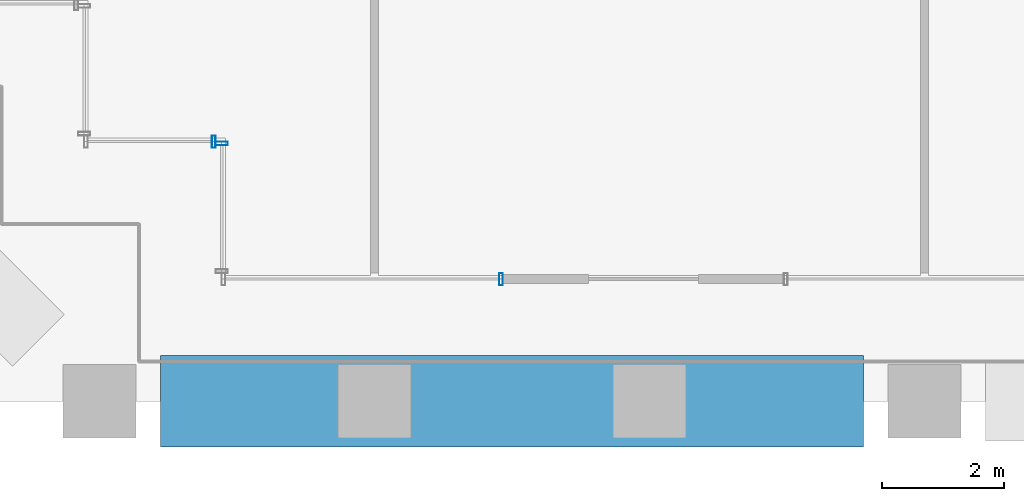
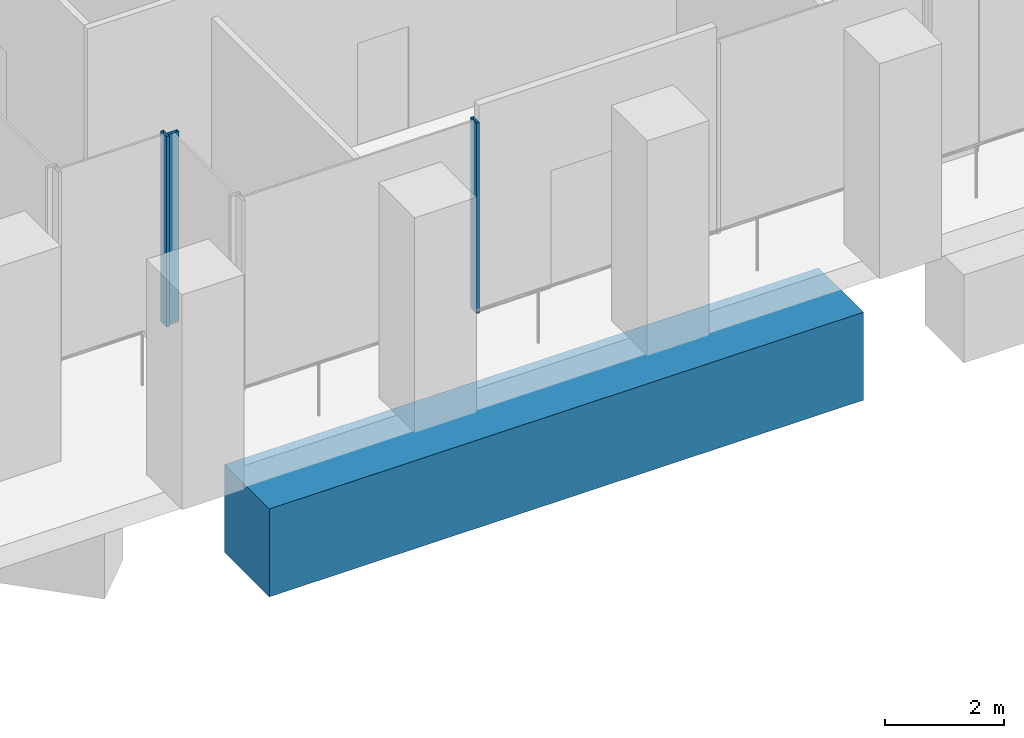
# One storey, part 15 of 32: 3 members, 1 beam, 3 elements without a shape of their own.
"""IFC4 building model written with IfcOpenShell, lengths in metres."""

from ifc_helpers import new_model, si_unit, direction, frame, origin, origin_2d, place, context, subcontext, project, spatial, rectangle, hollow_rectangle, extrude, material, material_profile, profile_set, type_object, element, aggregate, save


model = new_model("IFC4")

# Units and contexts
model_context = context("Model", 3, precision=1e-05, world=origin(), true_north=direction((0.0, 1.0)))
body_context = subcontext(model_context, "Body", "Model", "MODEL_VIEW")
ifc_project = project(units=[si_unit("LENGTHUNIT", "METRE"), si_unit("AREAUNIT", "SQUARE_METRE"), si_unit("VOLUMEUNIT", "CUBIC_METRE"), si_unit("PLANEANGLEUNIT", "RADIAN"), si_unit("MASSUNIT", "GRAM", prefix="KILO")], contexts=[model_context])

# Site, building, storey
site_placement = place(None, origin())
site = spatial("IfcSite", under=ifc_project, at=site_placement, CompositionType="ELEMENT")
building_placement = place(site_placement, origin())
building = spatial("IfcBuilding", under=site, at=building_placement, Name="Altepetl Exchange Towers", CompositionType="ELEMENT")
storey_placement = place(building_placement, frame((0.0, 0.0, 21.0)))
storey = spatial("IfcBuildingStorey", under=building, at=storey_placement, Name="L04", CompositionType="ELEMENT", Elevation=21.0)

# Curtain wall, member
ifc_material_1 = material(Name="Aluminium 6063-T6 glazing", Category="aluminium")
curtain_wall_type = type_object("IfcCurtainWallType", Name="Trading floor glazing system", PredefinedType="NOTDEFINED", material=ifc_material_1)
curtain_wall_1_placement = place(storey_placement, origin())
curtain_wall_1 = element("IfcCurtainWall", 1, at=curtain_wall_1_placement, inside=storey, type_object=curtain_wall_type, Name="CW2 run", PredefinedType="NOTDEFINED")
ifc_material_2 = material(Name="Aluminium 6063-T6", Category="aluminium")
ifc_material_profile_1 = material_profile(ifc_material_2, hollow_rectangle(XDim=0.06005859375, YDim=0.199951171875, WallThickness=0.0029296875, at=origin_2d()), Name="Mullion 60x200 aluminium")
ifc_profile_set_1 = profile_set([ifc_material_profile_1], Name="Aluminium 6063-T6")
member_type = type_object("IfcMemberType", Name="Mullion 60x200 aluminium", PredefinedType="MULLION", material=ifc_profile_set_1)
member_1_placement = place(storey_placement, frame((100.8701171875, 31.25, 0.0)))
member_1 = element("IfcMember", 2, at=member_1_placement, type_object=member_type, Name="MU2 mullion", PredefinedType="MULLION", context=body_context, shape_type="SweptSolid", body=[
    extrude(hollow_rectangle(XDim=0.06005859375, YDim=0.199951171875, WallThickness=0.0029296875, at=origin_2d()), origin(), (0.0, 0.0, 1.0), 3.89990234375),
])
aggregate(curtain_wall_1, [member_1])

curtain_wall_2_placement = place(storey_placement, origin())
curtain_wall_2 = element("IfcCurtainWall", 3, at=curtain_wall_2_placement, inside=storey, type_object=curtain_wall_type, Name="CW2 run", PredefinedType="NOTDEFINED")
member_2_placement = place(storey_placement, frame((101.0, 31.219970703125, 0.0), z_axis=(0.0, 0.0, 1.0), x_axis=(0.0, -1.0, 0.0)))
member_2 = element("IfcMember", 4, at=member_2_placement, type_object=member_type, Name="MU2 mullion", PredefinedType="MULLION", context=body_context, shape_type="SweptSolid", body=[
    extrude(hollow_rectangle(XDim=0.06005859375, YDim=0.199951171875, WallThickness=0.0029296875, at=origin_2d()), origin(), (0.0, 0.0, 1.0), 3.89990234375),
])
aggregate(curtain_wall_2, [member_2])

curtain_wall_3_placement = place(storey_placement, origin())
curtain_wall_3 = element("IfcCurtainWall", 5, at=curtain_wall_3_placement, inside=storey, type_object=curtain_wall_type, Name="CW2 run", PredefinedType="NOTDEFINED")
member_3_placement = place(storey_placement, frame((105.570068359375, 29.0, 0.0)))
member_3 = element("IfcMember", 6, at=member_3_placement, type_object=member_type, Name="MU2 mullion", PredefinedType="MULLION", context=body_context, shape_type="SweptSolid", body=[
    extrude(hollow_rectangle(XDim=0.06005859375, YDim=0.199951171875, WallThickness=0.0029296875, at=origin_2d()), origin(), (0.0, 0.0, 1.0), 3.89990234375),
])
aggregate(curtain_wall_3, [member_3])

# Beam
ifc_material_3 = material(Name="Concrete C60/75", Category="concrete")
ifc_material_profile_2 = material_profile(ifc_material_3, rectangle(XDim=1.5, YDim=1.800048828125, at=origin_2d()), Name="1500 x 1800")
ifc_profile_set_2 = profile_set([ifc_material_profile_2], Name="Concrete C60/75")
beam_type = type_object("IfcBeamType", Name="Transfer girder 1500x1800", PredefinedType="BEAM", material=ifc_profile_set_2)
beam_placement = place(storey_placement, frame((100.0, 27.0, -1.35009765625), z_axis=(1.0, 0.0, 0.0), x_axis=(0.0, 1.0, 0.0)))
element("IfcBeam", 7, at=beam_placement, inside=storey, type_object=beam_type, Name="bm:B:L04:tg00", PredefinedType="BEAM", context=body_context, shape_type="SweptSolid", body=[
    extrude(rectangle(XDim=1.5, YDim=1.800048828125, at=origin_2d()), origin(), (0.0, 0.0, 1.0), 11.5),
])

save(model, "model.ifc")
